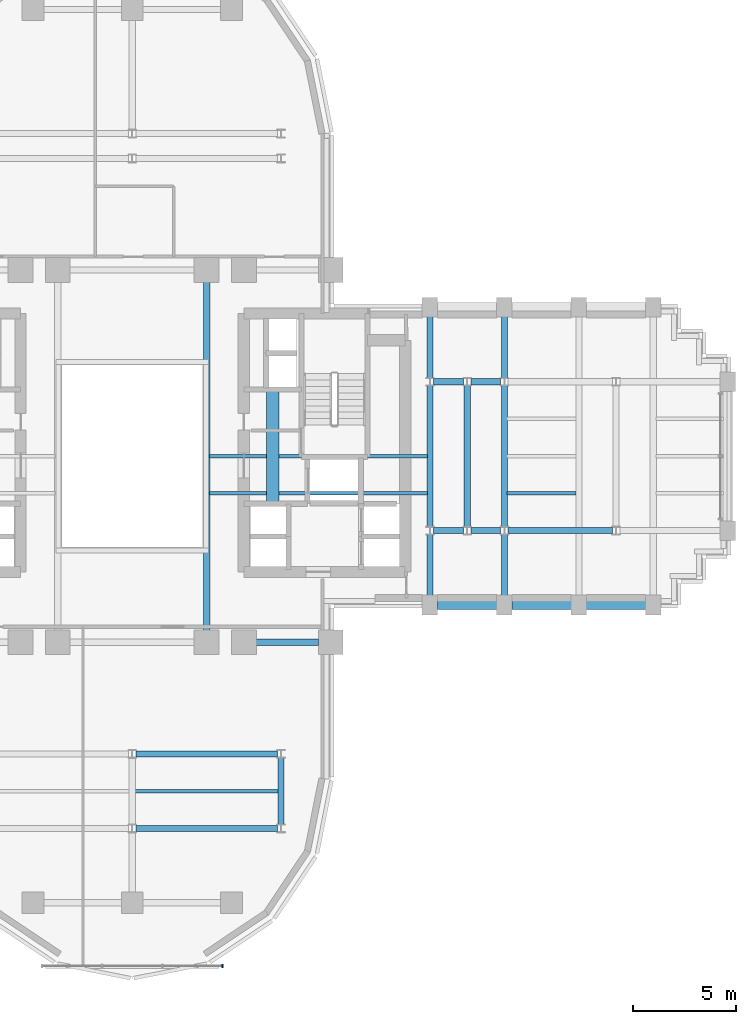
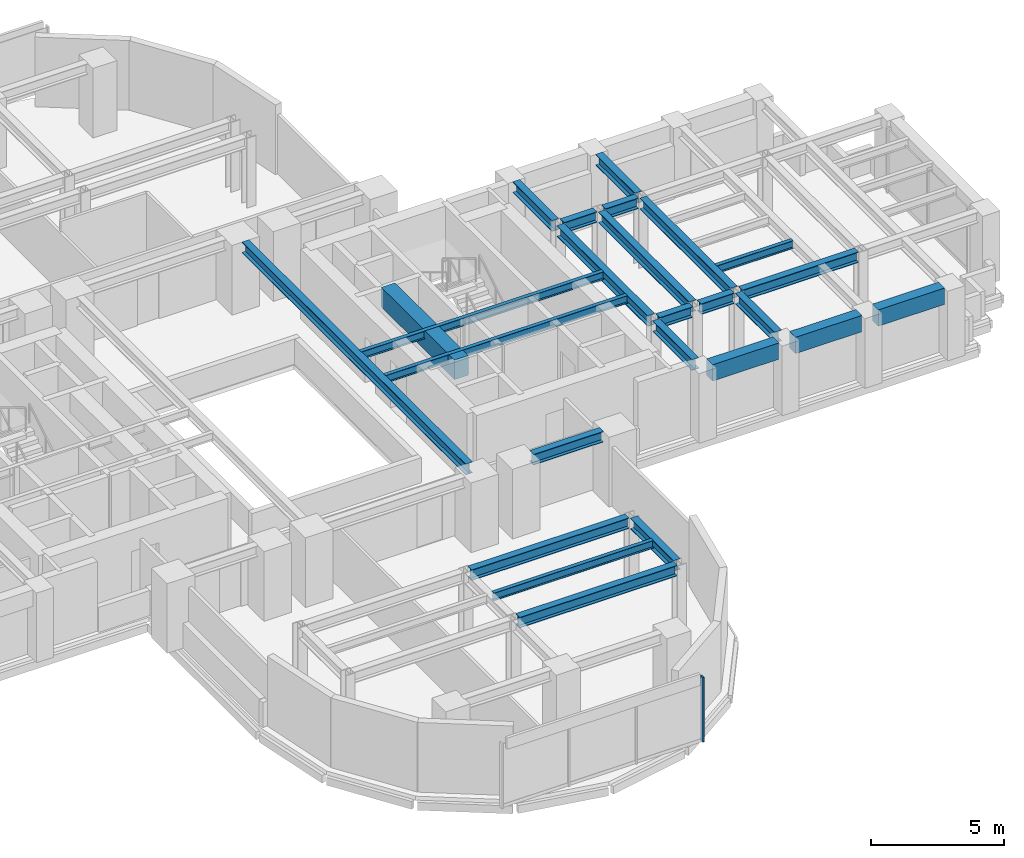
# One storey, part 5 of 16: 25 beams, 1 member, 1 element without a shape of its own.
"""IFC4 building model written with IfcOpenShell, lengths in metres."""

from ifc_helpers import new_model, si_unit, direction, frame, origin, origin_2d, place, context, subcontext, project, spatial, rectangle, i_section, extrude, source, transform, mapped, material, material_profile, profile_set, type_object, element, aggregate, save


model = new_model("IFC4")

# Units and contexts
model_context = context("Model", 3, precision=1e-05, world=origin(), true_north=direction((0.0, 1.0)))
body_context = subcontext(model_context, "Body", "Model", "MODEL_VIEW")
ifc_project = project(units=[si_unit("LENGTHUNIT", "METRE"), si_unit("AREAUNIT", "SQUARE_METRE"), si_unit("VOLUMEUNIT", "CUBIC_METRE"), si_unit("PLANEANGLEUNIT", "RADIAN"), si_unit("MASSUNIT", "GRAM", prefix="KILO")], contexts=[model_context])

# Site, building, storey
site_placement = place(None, origin())
site = spatial("IfcSite", under=ifc_project, at=site_placement, CompositionType="ELEMENT")
building_placement = place(site_placement, origin())
building = spatial("IfcBuilding", under=site, at=building_placement, Name="Keilestroom Media Tower", CompositionType="ELEMENT")
storey_placement = place(building_placement, frame((0.0, 0.0, 34.0)))
storey = spatial("IfcBuildingStorey", under=building, at=storey_placement, Name="L07", CompositionType="ELEMENT", Elevation=34.0)

# Beams
ifc_material_1 = material(Name="Concrete C70/85", Category="concrete")
ifc_material_profile_1 = material_profile(ifc_material_1, rectangle(XDim=0.60009765625, YDim=0.89990234375, at=origin_2d()), Name="RC 600x900")
ifc_profile_set_1 = profile_set([ifc_material_profile_1], Name="Concrete C70/85")
beam_type_1 = type_object("IfcBeamType", Name="Core-Coupling-Lintel-Beam-RC-600x900", PredefinedType="LINTEL", material=ifc_profile_set_1)
shared_shape_1 = source(origin(), body_context, "Body", "SweptSolid", [
    extrude(rectangle(XDim=0.60009765625, YDim=0.89990234375, at=origin_2d()), origin(), (0.0, 0.0, 1.0), 5.52001953125),
])
beam_1_placement = place(storey_placement, frame((6.800048828125, -2.300048828125, 2.75), z_axis=(0.0, 1.0, 0.0), x_axis=(-1.0, 0.0, 0.0)))
element("IfcBeam", 1, at=beam_1_placement, inside=storey, type_object=beam_type_1, Name="L07 Beam CLB-1 CLB-L07-E", PredefinedType="LINTEL", context=body_context, shape_type="MappedRepresentation", body=[
    mapped(shared_shape_1, transform((0.0, 0.0, 0.0), x_axis=(1.0, 0.0, 0.0), y_axis=(0.0, 1.0, 0.0), z_axis=(0.0, 0.0, 1.0), scale=1.0)),
])
ifc_material_2 = material(Name="Precast concrete C40/50", Category="concrete")
ifc_material_profile_2 = material_profile(ifc_material_2, rectangle(XDim=0.449951171875, YDim=0.75, at=origin_2d()), Name="PC 450x750")
ifc_profile_set_2 = profile_set([ifc_material_profile_2], Name="Precast concrete C40/50")
beam_type_2 = type_object("IfcBeamType", Name="Perimeter-Spandrel-Beam-PC-450x750", PredefinedType="SPANDREL", material=ifc_profile_set_2)
shared_shape_2 = source(origin(), body_context, "Body", "SweptSolid", [
    extrude(rectangle(XDim=0.449951171875, YDim=0.75, at=origin_2d()), origin(), (0.0, 0.0, 1.0), 2.889892578125),
])
beam_2_placement = place(storey_placement, frame((21.955078125, -7.199951171875, 2.824951171875), z_axis=(1.0, 0.0, 0.0), x_axis=(0.0, 1.0, 0.0)))
element("IfcBeam", 2, at=beam_2_placement, inside=storey, type_object=beam_type_2, Name="L07 Beam SPB-1 BM-L07-EW-017", PredefinedType="SPANDREL", context=body_context, shape_type="MappedRepresentation", body=[
    mapped(shared_shape_2, transform((0.0, 0.0, 0.0), x_axis=(1.0, 0.0, 0.0), y_axis=(0.0, 1.0, 0.0), z_axis=(0.0, 0.0, 1.0), scale=1.0)),
])
shared_shape_3 = source(origin(), body_context, "Body", "SweptSolid", [
    extrude(rectangle(XDim=0.449951171875, YDim=0.75, at=origin_2d()), origin(), (0.0, 0.0, 1.0), 2.89013671875),
])
for number, where, z_axis, x_axis, name in (
    (3, (14.7548828125, -7.199951171875, 2.824951171875), (1.0, 0.0, 0.0), (0.0, 1.0, 0.0), "L07 Beam SPB-1 BM-L07-EW-015"),
    (4, (18.35498046875, -7.199951171875, 2.824951171875), (1.0, 0.0, 0.0), (0.0, 1.0, 0.0), "L07 Beam SPB-1 BM-L07-EW-016"),
):
    element("IfcBeam", number, at=place(storey_placement, frame(where, z_axis=z_axis, x_axis=x_axis)), inside=storey, type_object=beam_type_2, Name=name, PredefinedType="SPANDREL", context=body_context, shape_type="MappedRepresentation", body=[
        mapped(shared_shape_3, transform((0.0, 0.0, 0.0), x_axis=(1.0, 0.0, 0.0), y_axis=(0.0, 1.0, 0.0), z_axis=(0.0, 0.0, 1.0), scale=1.0)),
    ])
ifc_material_3 = material(Name="Steel S355", Category="steel")
ifc_material_profile_3 = material_profile(ifc_material_3, i_section(OverallWidth=0.300048828125, OverallDepth=0.5, WebThickness=0.012451171875, FlangeThickness=0.028076171875, at=origin_2d()), Name="HEB 500")
ifc_profile_set_3 = profile_set([ifc_material_profile_3], Name="Steel S355")
beam_type_3 = type_object("IfcBeamType", Name="Primary-Structural-Girder-HEB-500", PredefinedType="BEAM", material=ifc_profile_set_3)
shared_shape_4 = source(origin(), body_context, "Body", "SweptSolid", [
    extrude(i_section(OverallWidth=0.300048828125, OverallDepth=0.5, WebThickness=0.012451171875, FlangeThickness=0.028076171875, at=origin_2d()), origin(), (0.0, 0.0, 1.0), 6.8330078125),
])
for number, where, z_axis, x_axis, name in (
    (5, (14.39990234375, -3.41650390625, 2.949951171875), (0.0, 1.0, 0.0), (-1.0, 0.0, 0.0), "L07 Beam BG-6 BM-L07-NS-077"),
    (6, (16.199951171875, -3.41650390625, 2.949951171875), (0.0, 1.0, 0.0), (-1.0, 0.0, 0.0), "L07 Beam BG-6 BM-L07-NS-079"),
    (7, (18.0, -3.41650390625, 2.949951171875), (0.0, 1.0, 0.0), (-1.0, 0.0, 0.0), "L07 Beam BG-6 BM-L07-NS-081"),
):
    element("IfcBeam", number, at=place(storey_placement, frame(where, z_axis=z_axis, x_axis=x_axis)), inside=storey, type_object=beam_type_3, Name=name, PredefinedType="BEAM", context=body_context, shape_type="MappedRepresentation", body=[
        mapped(shared_shape_4, transform((0.0, 0.0, 0.0), x_axis=(1.0, 0.0, 0.0), y_axis=(0.0, 1.0, 0.0), z_axis=(0.0, 0.0, 1.0), scale=1.0)),
    ])
shared_shape_5 = source(origin(), body_context, "Body", "SweptSolid", [
    extrude(i_section(OverallWidth=0.300048828125, OverallDepth=0.5, WebThickness=0.012451171875, FlangeThickness=0.028076171875, at=origin_2d()), origin(), (0.0, 0.0, 1.0), 2.961669921875),
])
for number, where, z_axis, x_axis, name in (
    (8, (14.39990234375, -6.7451171875, 2.949951171875), (0.0, 1.0, 0.0), (-1.0, 0.0, 0.0), "L07 Beam BG-6 BM-L07-NS-076"),
    (9, (14.39990234375, 3.783447265625, 2.949951171875), (0.0, 1.0, 0.0), (-1.0, 0.0, 0.0), "L07 Beam BG-6 BM-L07-NS-078"),
    (10, (18.0, -6.7451171875, 2.949951171875), (0.0, 1.0, 0.0), (-1.0, 0.0, 0.0), "L07 Beam BG-6 BM-L07-NS-080"),
    (11, (18.0, 3.783447265625, 2.949951171875), (0.0, 1.0, 0.0), (-1.0, 0.0, 0.0), "L07 Beam BG-6 BM-L07-NS-082"),
):
    element("IfcBeam", number, at=place(storey_placement, frame(where, z_axis=z_axis, x_axis=x_axis)), inside=storey, type_object=beam_type_3, Name=name, PredefinedType="BEAM", context=body_context, shape_type="MappedRepresentation", body=[
        mapped(shared_shape_5, transform((0.0, 0.0, 0.0), x_axis=(1.0, 0.0, 0.0), y_axis=(0.0, 1.0, 0.0), z_axis=(0.0, 0.0, 1.0), scale=1.0)),
    ])
shared_shape_6 = source(origin(), body_context, "Body", "SweptSolid", [
    extrude(i_section(OverallWidth=0.300048828125, OverallDepth=0.5, WebThickness=0.012451171875, FlangeThickness=0.028076171875, at=origin_2d()), origin(), (0.0, 0.0, 1.0), 3.23291015625),
])
beam_3_placement = place(storey_placement, frame((7.199951171875, -17.81640625, 2.949951171875), z_axis=(0.0, 1.0, 0.0), x_axis=(-1.0, 0.0, 0.0)))
element("IfcBeam", 12, at=beam_3_placement, inside=storey, type_object=beam_type_3, Name="L07 Beam BG-6 BM-L07-NS-073", PredefinedType="BEAM", context=body_context, shape_type="MappedRepresentation", body=[
    mapped(shared_shape_6, transform((0.0, 0.0, 0.0), x_axis=(1.0, 0.0, 0.0), y_axis=(0.0, 1.0, 0.0), z_axis=(0.0, 0.0, 1.0), scale=1.0)),
])
shared_shape_7 = source(origin(), body_context, "Body", "SweptSolid", [
    extrude(i_section(OverallWidth=0.300048828125, OverallDepth=0.5, WebThickness=0.012451171875, FlangeThickness=0.028076171875, at=origin_2d()), origin(), (0.0, 0.0, 1.0), 16.83984375),
])
beam_4_placement = place(storey_placement, frame((3.60009765625, -8.419921875, 2.949951171875), z_axis=(0.0, 1.0, 0.0), x_axis=(-1.0, 0.0, 0.0)))
element("IfcBeam", 13, at=beam_4_placement, inside=storey, type_object=beam_type_3, Name="L07 Beam BG-6 BM-L07-NS-071", PredefinedType="BEAM", context=body_context, shape_type="MappedRepresentation", body=[
    mapped(shared_shape_7, transform((0.0, 0.0, 0.0), x_axis=(1.0, 0.0, 0.0), y_axis=(0.0, 1.0, 0.0), z_axis=(0.0, 0.0, 1.0), scale=1.0)),
])
ifc_material_profile_4 = material_profile(ifc_material_3, i_section(OverallWidth=0.300048828125, OverallDepth=0.489990234375, WebThickness=0.011962890625, FlangeThickness=0.02294921875, at=origin_2d()), Name="HEA 500")
ifc_profile_set_4 = profile_set([ifc_material_profile_4], Name="Steel S355")
beam_type_4 = type_object("IfcBeamType", Name="Primary-Structural-Girder-HEA-500", PredefinedType="BEAM", material=ifc_profile_set_4)
shared_shape_8 = source(origin(), body_context, "Body", "SweptSolid", [
    extrude(i_section(OverallWidth=0.300048828125, OverallDepth=0.489990234375, WebThickness=0.011962890625, FlangeThickness=0.02294921875, at=origin_2d()), origin(), (0.0, 0.0, 1.0), 6.836181640625),
])
for number, where, z_axis, x_axis, name in (
    (14, (0.181884765625, -18.0, 2.955078125), (1.0, 0.0, 0.0), (0.0, 1.0, 0.0), "L07 Beam BG-10 BM-L07-EW-004"),
    (15, (0.181884765625, -14.39990234375, 2.955078125), (1.0, 0.0, 0.0), (0.0, 1.0, 0.0), "L07 Beam BG-10 BM-L07-EW-006"),
):
    element("IfcBeam", number, at=place(storey_placement, frame(where, z_axis=z_axis, x_axis=x_axis)), inside=storey, type_object=beam_type_4, Name=name, PredefinedType="BEAM", context=body_context, shape_type="MappedRepresentation", body=[
        mapped(shared_shape_8, transform((0.0, 0.0, 0.0), x_axis=(1.0, 0.0, 0.0), y_axis=(0.0, 1.0, 0.0), z_axis=(0.0, 0.0, 1.0), scale=1.0)),
    ])
shared_shape_9 = source(origin(), body_context, "Body", "SweptSolid", [
    extrude(i_section(OverallWidth=0.300048828125, OverallDepth=0.489990234375, WebThickness=0.011962890625, FlangeThickness=0.02294921875, at=origin_2d()), origin(), (0.0, 0.0, 1.0), 3.0400390625),
])
beam_5_placement = place(storey_placement, frame((5.97998046875, -9.0, 2.955078125), z_axis=(1.0, 0.0, 0.0), x_axis=(0.0, 1.0, 0.0)))
element("IfcBeam", 16, at=beam_5_placement, inside=storey, type_object=beam_type_4, Name="L07 Beam BG-10 BM-L07-EW-011", PredefinedType="BEAM", context=body_context, shape_type="MappedRepresentation", body=[
    mapped(shared_shape_9, transform((0.0, 0.0, 0.0), x_axis=(1.0, 0.0, 0.0), y_axis=(0.0, 1.0, 0.0), z_axis=(0.0, 0.0, 1.0), scale=1.0)),
])
shared_shape_10 = source(origin(), body_context, "Body", "SweptSolid", [
    extrude(i_section(OverallWidth=0.300048828125, OverallDepth=0.489990234375, WebThickness=0.011962890625, FlangeThickness=0.02294921875, at=origin_2d()), origin(), (0.0, 0.0, 1.0), 5.0361328125),
])
beam_6_placement = place(storey_placement, frame((18.181884765625, -3.60009765625, 2.955078125), z_axis=(1.0, 0.0, 0.0), x_axis=(0.0, 1.0, 0.0)))
element("IfcBeam", 17, at=beam_6_placement, inside=storey, type_object=beam_type_4, Name="L07 Beam BG-10 BM-L07-EW-024", PredefinedType="BEAM", context=body_context, shape_type="MappedRepresentation", body=[
    mapped(shared_shape_10, transform((0.0, 0.0, 0.0), x_axis=(1.0, 0.0, 0.0), y_axis=(0.0, 1.0, 0.0), z_axis=(0.0, 0.0, 1.0), scale=1.0)),
])
shared_shape_11 = source(origin(), body_context, "Body", "SweptSolid", [
    extrude(i_section(OverallWidth=0.300048828125, OverallDepth=0.489990234375, WebThickness=0.011962890625, FlangeThickness=0.02294921875, at=origin_2d()), origin(), (0.0, 0.0, 1.0), 1.43603515625),
])
for number, where, z_axis, x_axis, name in (
    (18, (14.58203125, -3.60009765625, 2.955078125), (1.0, 0.0, 0.0), (0.0, 1.0, 0.0), "L07 Beam BG-10 BM-L07-EW-022"),
    (19, (16.382080078125, -3.60009765625, 2.955078125), (1.0, 0.0, 0.0), (0.0, 1.0, 0.0), "L07 Beam BG-10 BM-L07-EW-023"),
    (20, (14.58203125, 3.60009765625, 2.955078125), (1.0, 0.0, 0.0), (0.0, 1.0, 0.0), "L07 Beam BG-10 BM-L07-EW-030"),
    (21, (16.382080078125, 3.60009765625, 2.955078125), (1.0, 0.0, 0.0), (0.0, 1.0, 0.0), "L07 Beam BG-10 BM-L07-EW-031"),
):
    element("IfcBeam", number, at=place(storey_placement, frame(where, z_axis=z_axis, x_axis=x_axis)), inside=storey, type_object=beam_type_4, Name=name, PredefinedType="BEAM", context=body_context, shape_type="MappedRepresentation", body=[
        mapped(shared_shape_11, transform((0.0, 0.0, 0.0), x_axis=(1.0, 0.0, 0.0), y_axis=(0.0, 1.0, 0.0), z_axis=(0.0, 0.0, 1.0), scale=1.0)),
    ])
ifc_material_profile_5 = material_profile(ifc_material_3, i_section(OverallWidth=0.169921875, OverallDepth=0.360107421875, WebThickness=0.008056640625, FlangeThickness=0.0126953125, at=origin_2d()), Name="IPE 360")
ifc_profile_set_5 = profile_set([ifc_material_profile_5], Name="Steel S355")
beam_type_5 = type_object("IfcBeamType", Name="Secondary-Floor-Joist-IPE-360", PredefinedType="JOIST", material=ifc_profile_set_5)
shared_shape_12 = source(origin(), body_context, "Body", "SweptSolid", [
    extrude(i_section(OverallWidth=0.169921875, OverallDepth=0.360107421875, WebThickness=0.008056640625, FlangeThickness=0.0126953125, at=origin_2d()), origin(), (0.0, 0.0, 1.0), 6.940185546875),
])
beam_7_placement = place(storey_placement, frame((0.1298828125, -16.199951171875, 3.02001953125), z_axis=(1.0, 0.0, 0.0), x_axis=(0.0, 1.0, 0.0)))
element("IfcBeam", 22, at=beam_7_placement, inside=storey, type_object=beam_type_5, Name="L07 Beam BJ-5 JST-L07-088", PredefinedType="JOIST", context=body_context, shape_type="MappedRepresentation", body=[
    mapped(shared_shape_12, transform((0.0, 0.0, 0.0), x_axis=(1.0, 0.0, 0.0), y_axis=(0.0, 1.0, 0.0), z_axis=(0.0, 0.0, 1.0), scale=1.0)),
])
shared_shape_13 = source(origin(), body_context, "Body", "SweptSolid", [
    extrude(i_section(OverallWidth=0.169921875, OverallDepth=0.360107421875, WebThickness=0.008056640625, FlangeThickness=0.0126953125, at=origin_2d()), origin(), (0.0, 0.0, 1.0), 3.340087890625),
])
beam_8_placement = place(storey_placement, frame((18.1298828125, -1.800048828125, 3.02001953125), z_axis=(1.0, 0.0, 0.0), x_axis=(0.0, 1.0, 0.0)))
element("IfcBeam", 23, at=beam_8_placement, inside=storey, type_object=beam_type_5, Name="L07 Beam BJ-5 JST-L07-094", PredefinedType="JOIST", context=body_context, shape_type="MappedRepresentation", body=[
    mapped(shared_shape_13, transform((0.0, 0.0, 0.0), x_axis=(1.0, 0.0, 0.0), y_axis=(0.0, 1.0, 0.0), z_axis=(0.0, 0.0, 1.0), scale=1.0)),
])
shared_shape_14 = source(origin(), body_context, "Body", "SweptSolid", [
    extrude(i_section(OverallWidth=0.169921875, OverallDepth=0.360107421875, WebThickness=0.008056640625, FlangeThickness=0.0126953125, at=origin_2d()), origin(), (0.0, 0.0, 1.0), 10.5400390625),
])
for number, where, z_axis, x_axis, name in (
    (24, (3.72998046875, -1.800048828125, 3.02001953125), (1.0, 0.0, 0.0), (0.0, 1.0, 0.0), "L07 Beam BJ-5 JST-L07-093"),
    (25, (3.72998046875, 0.0, 3.02001953125), (1.0, 0.0, 0.0), (0.0, 1.0, 0.0), "L07 Beam BJ-5 JST-L07-100"),
):
    element("IfcBeam", number, at=place(storey_placement, frame(where, z_axis=z_axis, x_axis=x_axis)), inside=storey, type_object=beam_type_5, Name=name, PredefinedType="JOIST", context=body_context, shape_type="MappedRepresentation", body=[
        mapped(shared_shape_14, transform((0.0, 0.0, 0.0), x_axis=(1.0, 0.0, 0.0), y_axis=(0.0, 1.0, 0.0), z_axis=(0.0, 0.0, 1.0), scale=1.0)),
    ])

# Curtain wall, member
ifc_material_4 = material(Name="Anodised Aluminium Alloy", Category="aluminium")
curtain_wall_type = type_object("IfcCurtainWallType", Name="Unitised-Curtain-Wall-CW-6", PredefinedType="NOTDEFINED", material=ifc_material_4)
curtain_wall_placement = place(storey_placement, origin())
curtain_wall = element("IfcCurtainWall", 26, at=curtain_wall_placement, inside=storey, type_object=curtain_wall_type, Name="L07 Curtain Wall CW-6 CW-L07-LS-1", PredefinedType="NOTDEFINED")
ifc_material_profile_6 = material_profile(ifc_material_4, rectangle(XDim=0.06494140625, YDim=0.179931640625, at=origin_2d()), Name="ALU MULLION 65x180")
ifc_profile_set_6 = profile_set([ifc_material_profile_6], Name="Anodised Aluminium Alloy")
member_type = type_object("IfcMemberType", Name="Curtain-Wall-Mullion-CW-6", PredefinedType="MULLION", material=ifc_profile_set_6)
shared_shape_15 = source(origin(), body_context, "Body", "SweptSolid", [
    extrude(rectangle(XDim=0.06494140625, YDim=0.179931640625, at=origin_2d()), origin(), (0.0, 0.0, 1.0), 2.97998046875),
])
member_placement = place(storey_placement, frame((4.367431640625, -24.64990234375, 0.0), z_axis=(0.0, 0.0, 1.0), x_axis=(1.0, 0.0, 0.0)))
member = element("IfcMember", 27, at=member_placement, type_object=member_type, Name="CW-6 Mullion 03", PredefinedType="MULLION", context=body_context, shape_type="MappedRepresentation", body=[
    mapped(shared_shape_15, transform((0.0, 0.0, 0.0), x_axis=(1.0, 0.0, 0.0), y_axis=(0.0, 1.0, 0.0), z_axis=(0.0, 0.0, 1.0), scale=1.0)),
])
aggregate(curtain_wall, [member])

save(model, "model.ifc")
